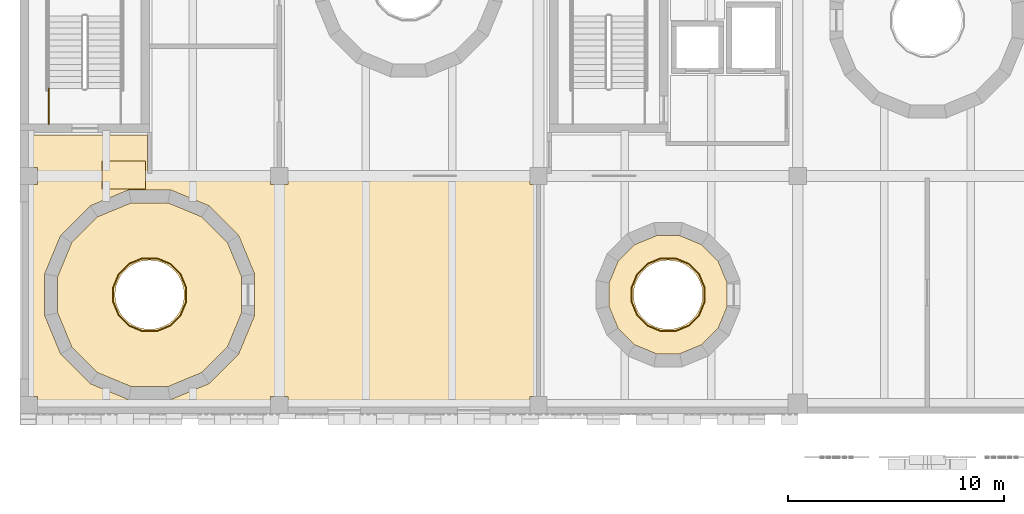
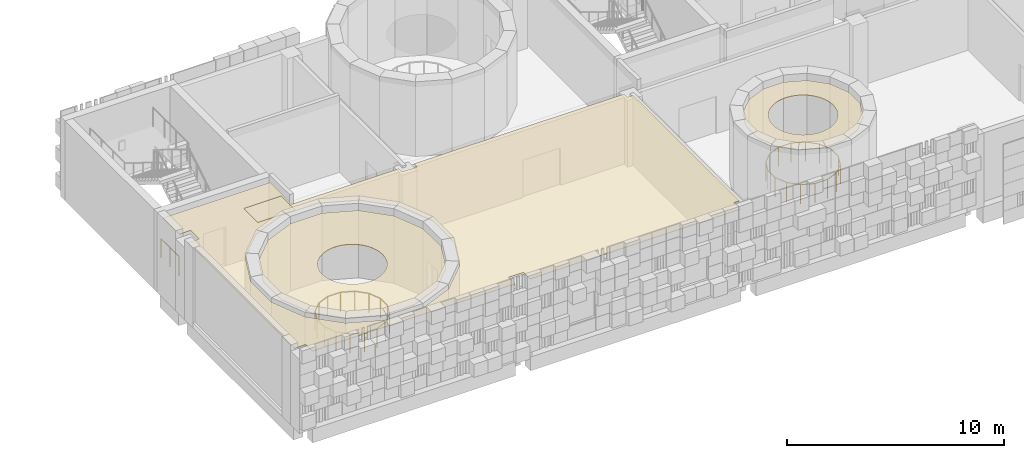
# One storey, part 58 of 92: 4 coverings, 3 railings.
"""IFC4 building model written with IfcOpenShell, lengths in metres."""

from ifc_helpers import new_model, si_unit, direction, frame, origin, origin_2d, place, context, subcontext, project, spatial, polyline, circle, outline, extrude, material, layer, layer_set, type_object, element, save


model = new_model("IFC4")

# Units and contexts
model_context = context("Model", 3, precision=1e-05, world=origin(), true_north=direction((0.0, 1.0)))
body_context = subcontext(model_context, "Body", "Model", "MODEL_VIEW")
ifc_project = project(units=[si_unit("LENGTHUNIT", "METRE"), si_unit("AREAUNIT", "SQUARE_METRE"), si_unit("VOLUMEUNIT", "CUBIC_METRE"), si_unit("PLANEANGLEUNIT", "RADIAN"), si_unit("MASSUNIT", "GRAM", prefix="KILO")], contexts=[model_context])

# Site, building, storey
site_placement = place(None, origin())
site = spatial("IfcSite", under=ifc_project, at=site_placement, CompositionType="ELEMENT")
building_placement = place(site_placement, origin())
building = spatial("IfcBuilding", under=site, at=building_placement, Name="Sun Court Science Centre", CompositionType="ELEMENT")
storey_placement = place(building_placement, frame((0.0, 0.0, 11.25)))
storey = spatial("IfcBuildingStorey", under=building, at=storey_placement, Name="L02", CompositionType="ELEMENT", Elevation=11.25)

# Coverings
ifc_material_1 = material(Name="Gypsum board")
ifc_layer = layer(ifc_material_1, 0.030029296875)
ifc_layer_set = layer_set([ifc_layer], Name="Gypsum board")
covering_type = type_object("IfcCoveringType", Name="Ceiling suspended 600 module", PredefinedType="CEILING", material=ifc_layer_set)
covering_1_placement = place(storey_placement, frame((0.0, 0.0, 3.77001953125)))
element("IfcCovering", 1, at=covering_1_placement, inside=storey, type_object=covering_type, Name="L02-001 ceiling", PredefinedType="CEILING", context=body_context, shape_type="SweptSolid", body=[
    extrude(outline(polyline([(9.607177734375, 9.08984375), (8.41015625, 7.892822265625), (6.84619140625, 7.2451171875), (5.15380859375, 7.2451171875), (3.58984375, 7.892822265625), (2.392822265625, 9.08984375), (1.7451171875, 10.65380859375), (1.7451171875, 12.34619140625), (2.392822265625, 13.91015625), (3.58984375, 15.107177734375), (5.15380859375, 15.7548828125), (6.84619140625, 15.7548828125), (8.41015625, 15.107177734375), (9.607177734375, 13.91015625), (10.2548828125, 12.34619140625), (10.2548828125, 10.65380859375), (9.607177734375, 9.08984375)]), holes=[polyline([(7.478271484375, 12.1123046875), (7.385498046875, 12.300048828125), (7.269287109375, 12.47412109375), (7.13134765625, 12.63134765625), (6.97412109375, 12.769287109375), (6.800048828125, 12.885498046875), (6.6123046875, 12.978271484375), (6.4140625, 13.04541015625), (6.208740234375, 13.086181640625), (6.0, 13.10009765625), (5.791259765625, 13.086181640625), (5.5859375, 13.04541015625), (5.3876953125, 12.978271484375), (5.199951171875, 12.885498046875), (5.02587890625, 12.769287109375), (4.86865234375, 12.63134765625), (4.730712890625, 12.47412109375), (4.614501953125, 12.300048828125), (4.521728515625, 12.1123046875), (4.45458984375, 11.9140625), (4.413818359375, 11.708740234375), (4.39990234375, 11.5), (4.413818359375, 11.291259765625), (4.45458984375, 11.0859375), (4.521728515625, 10.8876953125), (4.614501953125, 10.699951171875), (4.730712890625, 10.52587890625), (4.86865234375, 10.36865234375), (5.02587890625, 10.230712890625), (5.199951171875, 10.114501953125), (5.3876953125, 10.021728515625), (5.5859375, 9.95458984375), (5.791259765625, 9.913818359375), (6.0, 9.89990234375), (6.208740234375, 9.913818359375), (6.4140625, 9.95458984375), (6.6123046875, 10.021728515625), (6.800048828125, 10.114501953125), (6.97412109375, 10.230712890625), (7.13134765625, 10.36865234375), (7.269287109375, 10.52587890625), (7.385498046875, 10.699951171875), (7.478271484375, 10.8876953125), (7.54541015625, 11.0859375), (7.586181640625, 11.291259765625), (7.60009765625, 11.5), (7.586181640625, 11.708740234375), (7.54541015625, 11.9140625), (7.478271484375, 12.1123046875)])]), origin(), (0.0, 0.0, 1.0), 0.030029296875),
])
covering_2_placement = place(storey_placement, frame((0.0, 0.0, 3.77001953125)))
element("IfcCovering", 2, at=covering_2_placement, inside=storey, type_object=covering_type, Name="L02-003 ceiling", PredefinedType="CEILING", context=body_context, shape_type="SweptSolid", body=[
    extrude(outline(polyline([(32.318359375, 9.950927734375), (31.549072265625, 9.181640625), (30.5439453125, 8.765380859375), (29.4560546875, 8.765380859375), (28.450927734375, 9.181640625), (27.681640625, 9.950927734375), (27.265380859375, 10.9560546875), (27.265380859375, 12.0439453125), (27.681640625, 13.049072265625), (28.450927734375, 13.818359375), (29.4560546875, 14.234619140625), (30.5439453125, 14.234619140625), (31.549072265625, 13.818359375), (32.318359375, 13.049072265625), (32.734619140625, 12.0439453125), (32.734619140625, 10.9560546875), (32.318359375, 9.950927734375)]), holes=[polyline([(31.478271484375, 12.1123046875), (31.385498046875, 12.300048828125), (31.269287109375, 12.47412109375), (31.13134765625, 12.63134765625), (30.97412109375, 12.769287109375), (30.800048828125, 12.885498046875), (30.6123046875, 12.978271484375), (30.4140625, 13.04541015625), (30.208740234375, 13.086181640625), (30.0, 13.10009765625), (29.791259765625, 13.086181640625), (29.5859375, 13.04541015625), (29.3876953125, 12.978271484375), (29.199951171875, 12.885498046875), (29.02587890625, 12.769287109375), (28.86865234375, 12.63134765625), (28.730712890625, 12.47412109375), (28.614501953125, 12.300048828125), (28.521728515625, 12.1123046875), (28.45458984375, 11.9140625), (28.413818359375, 11.708740234375), (28.39990234375, 11.5), (28.413818359375, 11.291259765625), (28.45458984375, 11.0859375), (28.521728515625, 10.8876953125), (28.614501953125, 10.699951171875), (28.730712890625, 10.52587890625), (28.86865234375, 10.36865234375), (29.02587890625, 10.230712890625), (29.199951171875, 10.114501953125), (29.3876953125, 10.021728515625), (29.5859375, 9.95458984375), (29.791259765625, 9.913818359375), (30.0, 9.89990234375), (30.208740234375, 9.913818359375), (30.4140625, 9.95458984375), (30.6123046875, 10.021728515625), (30.800048828125, 10.114501953125), (30.97412109375, 10.230712890625), (31.13134765625, 10.36865234375), (31.269287109375, 10.52587890625), (31.385498046875, 10.699951171875), (31.478271484375, 10.8876953125), (31.54541015625, 11.0859375), (31.586181640625, 11.291259765625), (31.60009765625, 11.5), (31.586181640625, 11.708740234375), (31.54541015625, 11.9140625), (31.478271484375, 12.1123046875)])]), origin(), (0.0, 0.0, 1.0), 0.030029296875),
])
covering_3_placement = place(storey_placement, frame((0.0, 0.0, 3.919921875)))
element("IfcCovering", 3, at=covering_3_placement, inside=storey, type_object=covering_type, Name="L02-012 ceiling", PredefinedType="CEILING", context=body_context, shape_type="SweptSolid", body=[
    extrude(outline(polyline([(5.89990234375, 16.89990234375), (11.60009765625, 16.89990234375), (11.60009765625, 16.60009765625), (12.39990234375, 16.60009765625), (12.39990234375, 16.89990234375), (23.60009765625, 16.89990234375), (23.60009765625, 16.60009765625), (23.89990234375, 16.60009765625), (23.89990234375, 6.800048828125), (23.60009765625, 6.800048828125), (23.60009765625, 6.199951171875), (12.39990234375, 6.199951171875), (12.39990234375, 6.800048828125), (11.60009765625, 6.800048828125), (11.60009765625, 6.199951171875), (0.800048828125, 6.199951171875), (0.800048828125, 6.800048828125), (0.199951171875, 6.800048828125), (0.199951171875, 16.60009765625), (0.800048828125, 16.60009765625), (0.800048828125, 17.39990234375), (0.199951171875, 17.39990234375), (0.199951171875, 18.89990234375), (5.89990234375, 18.89990234375), (5.89990234375, 16.89990234375)]), holes=[polyline([(5.0341796875, 16.35498046875), (3.25, 15.61572265625), (1.88427734375, 14.25), (1.14501953125, 12.4658203125), (1.14501953125, 10.5341796875), (1.88427734375, 8.75), (3.25, 7.38427734375), (5.0341796875, 6.64501953125), (6.9658203125, 6.64501953125), (8.75, 7.38427734375), (10.11572265625, 8.75), (10.85498046875, 10.5341796875), (10.85498046875, 12.4658203125), (10.11572265625, 14.25), (8.75, 15.61572265625), (6.9658203125, 16.35498046875), (5.0341796875, 16.35498046875)]), polyline([(5.800048828125, 16.39990234375), (5.800048828125, 17.699951171875), (3.800048828125, 17.699951171875), (3.800048828125, 16.39990234375), (5.800048828125, 16.39990234375)])]), origin(), (0.0, 0.0, 1.0), 0.030029296875),
])
covering_4_placement = place(storey_placement, frame((0.0, 0.0, 3.919921875)))
element("IfcCovering", 4, at=covering_4_placement, inside=storey, type_object=covering_type, Name="L02-029 ceiling", PredefinedType="CEILING", context=body_context, shape_type="SweptSolid", body=[
    extrude(outline(polyline([(5.800048828125, 17.699951171875), (5.800048828125, 16.39990234375), (3.800048828125, 16.39990234375), (3.800048828125, 17.699951171875), (5.800048828125, 17.699951171875)])), origin(), (0.0, 0.0, 1.0), 0.030029296875),
])

# Railings
ifc_material_2 = material(Name="Steel S275", Category="steel")
railing_type_1 = type_object("IfcRailingType", Name="Guard 1100 steel balustrade", PredefinedType="GUARDRAIL", material=ifc_material_2)
railing_1_placement = place(storey_placement, frame((1.326904296875, 19.39990234375, 0.0)))
element("IfcRailing", 5, at=railing_1_placement, inside=storey, type_object=railing_type_1, Name="L02 SB1 stair guard 8", PredefinedType="GUARDRAIL", context=body_context, shape_type="SweptSolid", body=[
    extrude(circle(Radius=0.02392578125, at=origin_2d()), frame((0.0, 0.0, 1.076171875), z_axis=(0.0, 1.0, 0.0), x_axis=(-1.0, 0.0, 0.0)), (0.0, 0.0, 1.0), 1.648193359375),
    extrude(circle(Radius=0.02099609375, at=origin_2d()), origin(), (0.0, 0.0, 1.0), 1.052001953125),
    extrude(circle(Radius=0.02099609375, at=origin_2d()), frame((0.0, 0.82421875, 0.0)), (0.0, 0.0, 1.0), 1.052001953125),
    extrude(circle(Radius=0.02099609375, at=origin_2d()), frame((0.0, 1.648193359375, 0.0)), (0.0, 0.0, 1.0), 1.052001953125),
])
ifc_material_3 = material(Name="Steel S275", Category="steel")
railing_type_2 = type_object("IfcRailingType", Name="Guard 1100 well balustrade", PredefinedType="GUARDRAIL", material=ifc_material_3)
railing_2_placement = place(storey_placement, frame((7.68701171875, 11.83544921875, 0.0)))
element("IfcRailing", 6, at=railing_2_placement, inside=storey, type_object=railing_type_2, Name="C1 well guard L02", PredefinedType="GUARDRAIL", context=body_context, shape_type="SweptSolid", body=[
    extrude(circle(Radius=0.02392578125, at=origin_2d()), frame((0.0, 0.0, 1.076171875), z_axis=(-0.382651625058, 0.923892706888, 0.0), x_axis=(-0.923892706888, -0.382651625058, 0.0)), (0.0, 0.0, 1.0), 0.671142578125),
    extrude(circle(Radius=0.02392578125, at=origin_2d()), frame((-0.2568359375, 0.6201171875, 1.076171875), z_axis=(-0.707106781187, 0.707106781187, 0.0), x_axis=(-0.707106781187, -0.707106781187, 0.0)), (0.0, 0.0, 1.0), 0.671142578125),
    extrude(circle(Radius=0.02392578125, at=origin_2d()), frame((-0.7314453125, 1.0947265625, 1.076171875), z_axis=(-0.923892706888, 0.382651625058, 0.0), x_axis=(-0.382651625058, -0.923892706888, 0.0)), (0.0, 0.0, 1.0), 0.671142578125),
    extrude(circle(Radius=0.02392578125, at=origin_2d()), frame((-1.3515625, 1.3515625, 1.076171875), z_axis=(-1.0, 0.0, 0.0), x_axis=(0.0, -1.0, 0.0)), (0.0, 0.0, 1.0), 0.6708984375),
    extrude(circle(Radius=0.02392578125, at=origin_2d()), frame((-2.0224609375, 1.3515625, 1.076171875), z_axis=(-0.923892706888, -0.382651625058, 0.0), x_axis=(0.382651625058, -0.923892706888, 0.0)), (0.0, 0.0, 1.0), 0.671142578125),
    extrude(circle(Radius=0.02392578125, at=origin_2d()), frame((-2.642578125, 1.0947265625, 1.076171875), z_axis=(-0.707106781187, -0.707106781187, 0.0), x_axis=(0.707106781187, -0.707106781187, 0.0)), (0.0, 0.0, 1.0), 0.671142578125),
    extrude(circle(Radius=0.02392578125, at=origin_2d()), frame((-3.1171875, 0.6201171875, 1.076171875), z_axis=(-0.382651625058, -0.923892706888, 0.0), x_axis=(0.923892706888, -0.382651625058, 0.0)), (0.0, 0.0, 1.0), 0.671142578125),
    extrude(circle(Radius=0.02392578125, at=origin_2d()), frame((-3.3740234375, 0.0, 1.076171875), z_axis=(0.0, -1.0, 0.0), x_axis=(1.0, 0.0, 0.0)), (0.0, 0.0, 1.0), 0.6708984375),
    extrude(circle(Radius=0.02392578125, at=origin_2d()), frame((-3.3740234375, -0.6708984375, 1.076171875), z_axis=(0.382651625058, -0.923892706888, 0.0), x_axis=(0.923892706888, 0.382651625058, 0.0)), (0.0, 0.0, 1.0), 0.671142578125),
    extrude(circle(Radius=0.02392578125, at=origin_2d()), frame((-3.1171875, -1.291015625, 1.076171875), z_axis=(0.707106781187, -0.707106781187, 0.0), x_axis=(0.707106781187, 0.707106781187, 0.0)), (0.0, 0.0, 1.0), 0.671142578125),
    extrude(circle(Radius=0.02392578125, at=origin_2d()), frame((-2.642578125, -1.765625, 1.076171875), z_axis=(0.923892706888, -0.382651625058, 0.0), x_axis=(0.382651625058, 0.923892706888, 0.0)), (0.0, 0.0, 1.0), 0.671142578125),
    extrude(circle(Radius=0.02392578125, at=origin_2d()), frame((-2.0224609375, -2.0224609375, 1.076171875), z_axis=(1.0, 0.0, 0.0), x_axis=(0.0, 1.0, 0.0)), (0.0, 0.0, 1.0), 0.6708984375),
    extrude(circle(Radius=0.02392578125, at=origin_2d()), frame((-1.3515625, -2.0224609375, 1.076171875), z_axis=(0.923892706888, 0.382651625058, 0.0), x_axis=(-0.382651625058, 0.923892706888, 0.0)), (0.0, 0.0, 1.0), 0.671142578125),
    extrude(circle(Radius=0.02392578125, at=origin_2d()), frame((-0.7314453125, -1.765625, 1.076171875), z_axis=(0.707106781187, 0.707106781187, 0.0), x_axis=(-0.707106781187, 0.707106781187, 0.0)), (0.0, 0.0, 1.0), 0.671142578125),
    extrude(circle(Radius=0.02392578125, at=origin_2d()), frame((-0.2568359375, -1.291015625, 1.076171875), z_axis=(0.382651625058, 0.923892706888, 0.0), x_axis=(-0.923892706888, 0.382651625058, 0.0)), (0.0, 0.0, 1.0), 0.671142578125),
    extrude(circle(Radius=0.02392578125, at=origin_2d()), frame((0.0, -0.6708984375, 1.076171875), z_axis=(0.0, 1.0, 0.0), x_axis=(-1.0, 0.0, 0.0)), (0.0, 0.0, 1.0), 0.6708984375),
    extrude(circle(Radius=0.02099609375, at=origin_2d()), origin(), (0.0, 0.0, 1.0), 1.052001953125),
    extrude(circle(Radius=0.02099609375, at=origin_2d()), frame((-0.2568359375, 0.6201171875, 0.0)), (0.0, 0.0, 1.0), 1.052001953125),
    extrude(circle(Radius=0.02099609375, at=origin_2d()), frame((-0.7314453125, 1.0947265625, 0.0)), (0.0, 0.0, 1.0), 1.052001953125),
    extrude(circle(Radius=0.02099609375, at=origin_2d()), frame((-1.3515625, 1.3515625, 0.0)), (0.0, 0.0, 1.0), 1.052001953125),
    extrude(circle(Radius=0.02099609375, at=origin_2d()), frame((-2.0224609375, 1.3515625, 0.0)), (0.0, 0.0, 1.0), 1.052001953125),
    extrude(circle(Radius=0.02099609375, at=origin_2d()), frame((-2.642578125, 1.0947265625, 0.0)), (0.0, 0.0, 1.0), 1.052001953125),
    extrude(circle(Radius=0.02099609375, at=origin_2d()), frame((-3.1171875, 0.6201171875, 0.0)), (0.0, 0.0, 1.0), 1.052001953125),
    extrude(circle(Radius=0.02099609375, at=origin_2d()), frame((-3.3740234375, 0.0, 0.0)), (0.0, 0.0, 1.0), 1.052001953125),
    extrude(circle(Radius=0.02099609375, at=origin_2d()), frame((-3.3740234375, -0.6708984375, 0.0)), (0.0, 0.0, 1.0), 1.052001953125),
    extrude(circle(Radius=0.02099609375, at=origin_2d()), frame((-3.1171875, -1.291015625, 0.0)), (0.0, 0.0, 1.0), 1.052001953125),
    extrude(circle(Radius=0.02099609375, at=origin_2d()), frame((-2.642578125, -1.765625, 0.0)), (0.0, 0.0, 1.0), 1.052001953125),
    extrude(circle(Radius=0.02099609375, at=origin_2d()), frame((-2.0224609375, -2.0224609375, 0.0)), (0.0, 0.0, 1.0), 1.052001953125),
    extrude(circle(Radius=0.02099609375, at=origin_2d()), frame((-1.3515625, -2.0224609375, 0.0)), (0.0, 0.0, 1.0), 1.052001953125),
    extrude(circle(Radius=0.02099609375, at=origin_2d()), frame((-0.7314453125, -1.765625, 0.0)), (0.0, 0.0, 1.0), 1.052001953125),
    extrude(circle(Radius=0.02099609375, at=origin_2d()), frame((-0.2568359375, -1.291015625, 0.0)), (0.0, 0.0, 1.0), 1.052001953125),
    extrude(circle(Radius=0.02099609375, at=origin_2d()), frame((0.0, -0.6708984375, 0.0)), (0.0, 0.0, 1.0), 1.052001953125),
])
railing_3_placement = place(storey_placement, frame((31.68701171875, 11.83544921875, 0.0)))
element("IfcRailing", 7, at=railing_3_placement, inside=storey, type_object=railing_type_2, Name="C3 well guard L02", PredefinedType="GUARDRAIL", context=body_context, shape_type="SweptSolid", body=[
    extrude(circle(Radius=0.02392578125, at=origin_2d()), frame((0.0, 0.0, 1.076171875), z_axis=(-0.382651625058, 0.923892706888, 0.0), x_axis=(-0.923892706888, -0.382651625058, 0.0)), (0.0, 0.0, 1.0), 0.671142578125),
    extrude(circle(Radius=0.02392578125, at=origin_2d()), frame((-0.2568359375, 0.6201171875, 1.076171875), z_axis=(-0.707106781187, 0.707106781187, 0.0), x_axis=(-0.707106781187, -0.707106781187, 0.0)), (0.0, 0.0, 1.0), 0.671142578125),
    extrude(circle(Radius=0.02392578125, at=origin_2d()), frame((-0.7314453125, 1.0947265625, 1.076171875), z_axis=(-0.923892706888, 0.382651625058, 0.0), x_axis=(-0.382651625058, -0.923892706888, 0.0)), (0.0, 0.0, 1.0), 0.671142578125),
    extrude(circle(Radius=0.02392578125, at=origin_2d()), frame((-1.3515625, 1.3515625, 1.076171875), z_axis=(-1.0, 0.0, 0.0), x_axis=(0.0, -1.0, 0.0)), (0.0, 0.0, 1.0), 0.6708984375),
    extrude(circle(Radius=0.02392578125, at=origin_2d()), frame((-2.0224609375, 1.3515625, 1.076171875), z_axis=(-0.923892706888, -0.382651625058, 0.0), x_axis=(0.382651625058, -0.923892706888, 0.0)), (0.0, 0.0, 1.0), 0.671142578125),
    extrude(circle(Radius=0.02392578125, at=origin_2d()), frame((-2.642578125, 1.0947265625, 1.076171875), z_axis=(-0.707106781187, -0.707106781187, 0.0), x_axis=(0.707106781187, -0.707106781187, 0.0)), (0.0, 0.0, 1.0), 0.671142578125),
    extrude(circle(Radius=0.02392578125, at=origin_2d()), frame((-3.1171875, 0.6201171875, 1.076171875), z_axis=(-0.382651625058, -0.923892706888, 0.0), x_axis=(0.923892706888, -0.382651625058, 0.0)), (0.0, 0.0, 1.0), 0.671142578125),
    extrude(circle(Radius=0.02392578125, at=origin_2d()), frame((-3.3740234375, 0.0, 1.076171875), z_axis=(0.0, -1.0, 0.0), x_axis=(1.0, 0.0, 0.0)), (0.0, 0.0, 1.0), 0.6708984375),
    extrude(circle(Radius=0.02392578125, at=origin_2d()), frame((-3.3740234375, -0.6708984375, 1.076171875), z_axis=(0.382651625058, -0.923892706888, 0.0), x_axis=(0.923892706888, 0.382651625058, 0.0)), (0.0, 0.0, 1.0), 0.671142578125),
    extrude(circle(Radius=0.02392578125, at=origin_2d()), frame((-3.1171875, -1.291015625, 1.076171875), z_axis=(0.707106781187, -0.707106781187, 0.0), x_axis=(0.707106781187, 0.707106781187, 0.0)), (0.0, 0.0, 1.0), 0.671142578125),
    extrude(circle(Radius=0.02392578125, at=origin_2d()), frame((-2.642578125, -1.765625, 1.076171875), z_axis=(0.923892706888, -0.382651625058, 0.0), x_axis=(0.382651625058, 0.923892706888, 0.0)), (0.0, 0.0, 1.0), 0.671142578125),
    extrude(circle(Radius=0.02392578125, at=origin_2d()), frame((-2.0224609375, -2.0224609375, 1.076171875), z_axis=(1.0, 0.0, 0.0), x_axis=(0.0, 1.0, 0.0)), (0.0, 0.0, 1.0), 0.6708984375),
    extrude(circle(Radius=0.02392578125, at=origin_2d()), frame((-1.3515625, -2.0224609375, 1.076171875), z_axis=(0.923892706888, 0.382651625058, 0.0), x_axis=(-0.382651625058, 0.923892706888, 0.0)), (0.0, 0.0, 1.0), 0.671142578125),
    extrude(circle(Radius=0.02392578125, at=origin_2d()), frame((-0.7314453125, -1.765625, 1.076171875), z_axis=(0.707106781187, 0.707106781187, 0.0), x_axis=(-0.707106781187, 0.707106781187, 0.0)), (0.0, 0.0, 1.0), 0.671142578125),
    extrude(circle(Radius=0.02392578125, at=origin_2d()), frame((-0.2568359375, -1.291015625, 1.076171875), z_axis=(0.382651625058, 0.923892706888, 0.0), x_axis=(-0.923892706888, 0.382651625058, 0.0)), (0.0, 0.0, 1.0), 0.671142578125),
    extrude(circle(Radius=0.02392578125, at=origin_2d()), frame((0.0, -0.6708984375, 1.076171875), z_axis=(0.0, 1.0, 0.0), x_axis=(-1.0, 0.0, 0.0)), (0.0, 0.0, 1.0), 0.6708984375),
    extrude(circle(Radius=0.02099609375, at=origin_2d()), origin(), (0.0, 0.0, 1.0), 1.052001953125),
    extrude(circle(Radius=0.02099609375, at=origin_2d()), frame((-0.2568359375, 0.6201171875, 0.0)), (0.0, 0.0, 1.0), 1.052001953125),
    extrude(circle(Radius=0.02099609375, at=origin_2d()), frame((-0.7314453125, 1.0947265625, 0.0)), (0.0, 0.0, 1.0), 1.052001953125),
    extrude(circle(Radius=0.02099609375, at=origin_2d()), frame((-1.3515625, 1.3515625, 0.0)), (0.0, 0.0, 1.0), 1.052001953125),
    extrude(circle(Radius=0.02099609375, at=origin_2d()), frame((-2.0224609375, 1.3515625, 0.0)), (0.0, 0.0, 1.0), 1.052001953125),
    extrude(circle(Radius=0.02099609375, at=origin_2d()), frame((-2.642578125, 1.0947265625, 0.0)), (0.0, 0.0, 1.0), 1.052001953125),
    extrude(circle(Radius=0.02099609375, at=origin_2d()), frame((-3.1171875, 0.6201171875, 0.0)), (0.0, 0.0, 1.0), 1.052001953125),
    extrude(circle(Radius=0.02099609375, at=origin_2d()), frame((-3.3740234375, 0.0, 0.0)), (0.0, 0.0, 1.0), 1.052001953125),
    extrude(circle(Radius=0.02099609375, at=origin_2d()), frame((-3.3740234375, -0.6708984375, 0.0)), (0.0, 0.0, 1.0), 1.052001953125),
    extrude(circle(Radius=0.02099609375, at=origin_2d()), frame((-3.1171875, -1.291015625, 0.0)), (0.0, 0.0, 1.0), 1.052001953125),
    extrude(circle(Radius=0.02099609375, at=origin_2d()), frame((-2.642578125, -1.765625, 0.0)), (0.0, 0.0, 1.0), 1.052001953125),
    extrude(circle(Radius=0.02099609375, at=origin_2d()), frame((-2.0224609375, -2.0224609375, 0.0)), (0.0, 0.0, 1.0), 1.052001953125),
    extrude(circle(Radius=0.02099609375, at=origin_2d()), frame((-1.3515625, -2.0224609375, 0.0)), (0.0, 0.0, 1.0), 1.052001953125),
    extrude(circle(Radius=0.02099609375, at=origin_2d()), frame((-0.7314453125, -1.765625, 0.0)), (0.0, 0.0, 1.0), 1.052001953125),
    extrude(circle(Radius=0.02099609375, at=origin_2d()), frame((-0.2568359375, -1.291015625, 0.0)), (0.0, 0.0, 1.0), 1.052001953125),
    extrude(circle(Radius=0.02099609375, at=origin_2d()), frame((0.0, -0.6708984375, 0.0)), (0.0, 0.0, 1.0), 1.052001953125),
])

save(model, "model.ifc")
